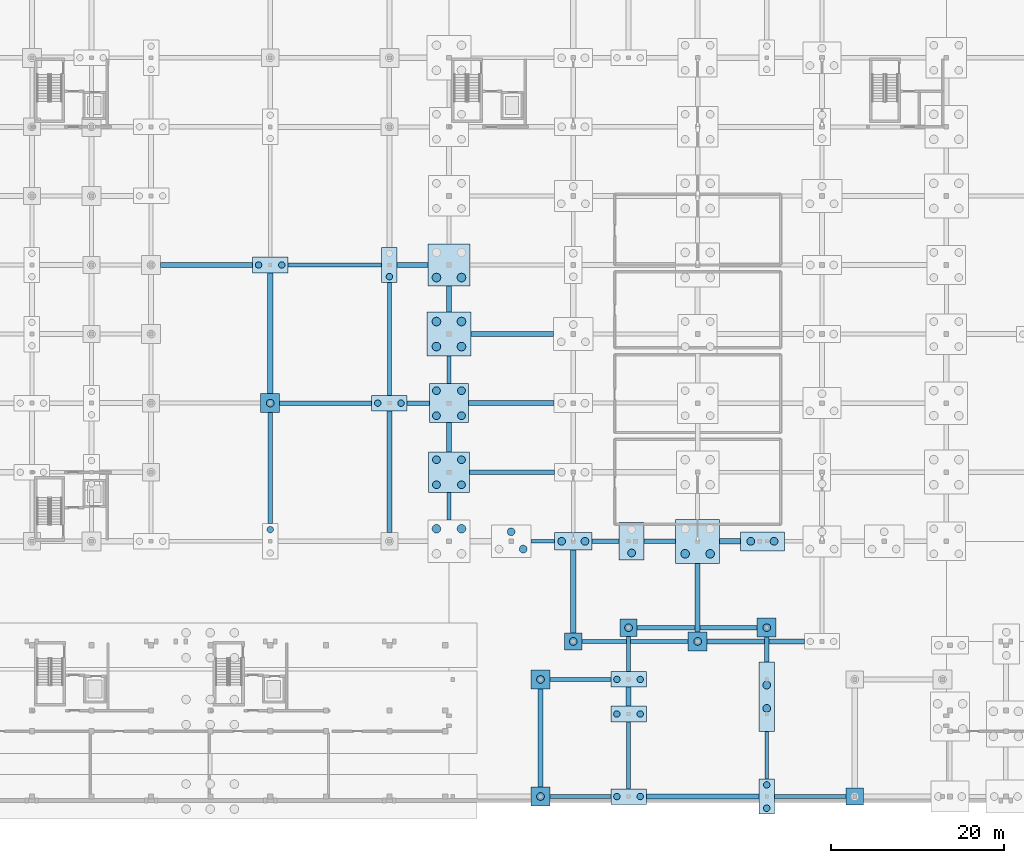
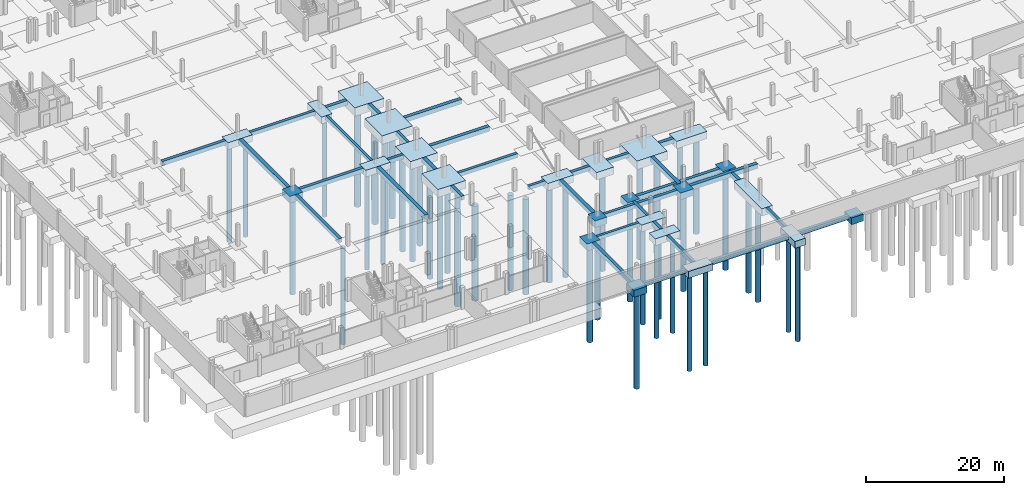
# One storey, part 2 of 38: 59 footings, 48 piles.
"""IFC4 building model written with IfcOpenShell, lengths in metres."""

from ifc_helpers import new_model, si_unit, direction, frame, origin, origin_2d, place, context, subcontext, project, spatial, rectangle, circle, extrude, material, material_profile, profile_set, type_object, element, save


model = new_model("IFC4")

# Units and contexts
model_context = context("Model", 3, precision=1e-05, world=origin(), true_north=direction((0.0, 1.0)))
body_context = subcontext(model_context, "Body", "Model", "MODEL_VIEW")
ifc_project = project(units=[si_unit("LENGTHUNIT", "METRE"), si_unit("AREAUNIT", "SQUARE_METRE"), si_unit("VOLUMEUNIT", "CUBIC_METRE"), si_unit("PLANEANGLEUNIT", "RADIAN"), si_unit("MASSUNIT", "GRAM", prefix="KILO")], contexts=[model_context])

# Site, building, storey
site_placement = place(None, origin())
site = spatial("IfcSite", under=ifc_project, at=site_placement, CompositionType="ELEMENT")
building_placement = place(site_placement, origin())
building = spatial("IfcBuilding", under=site, at=building_placement, Name="Zavelmont Quarter", CompositionType="ELEMENT")
storey_placement = place(building_placement, frame((0.0, 0.0, -3.800048828125)))
storey = spatial("IfcBuildingStorey", under=building, at=storey_placement, Name="B01", CompositionType="ELEMENT", Elevation=-3.800048828125)

# Footings
ifc_material = material(Name="Concrete C35/45", Category="concrete")
footing_type_1 = type_object("IfcFootingType", Name="GB01", PredefinedType="FOOTING_BEAM", material=ifc_material)
footing_1_placement = place(storey_placement, frame((97.050048828125, 0.43994140625, -0.69970703125), z_axis=(0.0, 0.0, 1.0), x_axis=(1.0, 0.0, 0.0)))
element("IfcFooting", 1, at=footing_1_placement, inside=storey, type_object=footing_type_1, Name="B01 ground beam GB01 at 15/A", PredefinedType="FOOTING_BEAM", context=body_context, shape_type="SweptSolid", body=[
    extrude(rectangle(XDim=8.300048828125, YDim=0.5, at=origin_2d()), origin(), (0.0, 0.0, 1.0), 0.699951171875),
])
footing_2_placement = place(storey_placement, frame((76.75, 18.39990234375, -0.69970703125), z_axis=(0.0, 0.0, 1.0), x_axis=(1.0, 0.0, 0.0)))
element("IfcFooting", 2, at=footing_2_placement, inside=storey, type_object=footing_type_1, Name="B01 ground beam GB01 at 12/D", PredefinedType="FOOTING_BEAM", context=body_context, shape_type="SweptSolid", body=[
    extrude(rectangle(XDim=12.300048828125, YDim=0.5, at=origin_2d()), origin(), (0.0, 0.0, 1.0), 0.699951171875),
])
footing_3_placement = place(storey_placement, frame((79.625, 30.0, -0.69970703125), z_axis=(0.0, 0.0, 1.0), x_axis=(1.0, 0.0, 0.0)))
element("IfcFooting", 3, at=footing_3_placement, inside=storey, type_object=footing_type_1, Name="B01 ground beam GB01 at 12/F", PredefinedType="FOOTING_BEAM", context=body_context, shape_type="SweptSolid", body=[
    extrude(rectangle(XDim=3.64990234375, YDim=0.5, at=origin_2d()), origin(), (0.0, 0.0, 1.0), 0.699951171875),
])
footing_4_placement = place(storey_placement, frame((62.5, 38.0, -0.69970703125), z_axis=(0.0, 0.0, 1.0), x_axis=(1.0, 0.0, 0.0)))
element("IfcFooting", 4, at=footing_4_placement, inside=storey, type_object=footing_type_1, Name="B01 ground beam GB01 at 10/G", PredefinedType="FOOTING_BEAM", context=body_context, shape_type="SweptSolid", body=[
    extrude(rectangle(XDim=9.89990234375, YDim=0.5, at=origin_2d()), origin(), (0.0, 0.0, 1.0), 0.699951171875),
])
footing_5_placement = place(storey_placement, frame((51.64990234375, 46.0, -0.69970703125), z_axis=(0.0, 0.0, 1.0), x_axis=(1.0, 0.0, 0.0)))
element("IfcFooting", 5, at=footing_5_placement, inside=storey, type_object=footing_type_1, Name="B01 ground beam GB01 at 8/H", PredefinedType="FOOTING_BEAM", context=body_context, shape_type="SweptSolid", body=[
    extrude(rectangle(XDim=2.60009765625, YDim=0.5, at=origin_2d()), origin(), (0.0, 0.0, 1.0), 0.699951171875),
])
footing_6_placement = place(storey_placement, frame((41.97509765625, 62.0, -0.69970703125), z_axis=(0.0, 0.0, 1.0), x_axis=(1.0, 0.0, 0.0)))
element("IfcFooting", 6, at=footing_6_placement, inside=storey, type_object=footing_type_1, Name="B01 ground beam GB01 at 7/K", PredefinedType="FOOTING_BEAM", context=body_context, shape_type="SweptSolid", body=[
    extrude(rectangle(XDim=10.85009765625, YDim=0.5, at=origin_2d()), origin(), (0.0, 0.0, 1.0), 0.699951171875),
])
footing_7_placement = place(storey_placement, frame((34.5, 38.47509765625, -0.69970703125), z_axis=(0.0, 0.0, 1.0), x_axis=(0.0, 1.0, 0.0)))
element("IfcFooting", 7, at=footing_7_placement, inside=storey, type_object=footing_type_1, Name="B01 ground beam GB01 at 6/G", PredefinedType="FOOTING_BEAM", context=body_context, shape_type="SweptSolid", body=[
    extrude(rectangle(XDim=12.85009765625, YDim=0.5, at=origin_2d()), origin(), (0.0, 0.0, 1.0), 0.699951171875),
])
footing_8_placement = place(storey_placement, frame((55.199951171875, 34.050048828125, -0.69970703125), z_axis=(0.0, 0.0, 1.0), x_axis=(0.0, 1.0, 0.0)))
element("IfcFooting", 8, at=footing_8_placement, inside=storey, type_object=footing_type_1, Name="B01 ground beam GB01 at 9/G", PredefinedType="FOOTING_BEAM", context=body_context, shape_type="SweptSolid", body=[
    extrude(rectangle(XDim=3.199951171875, YDim=0.5, at=origin_2d()), origin(), (0.0, 0.0, 1.0), 0.699951171875),
])
footing_9_placement = place(storey_placement, frame((76.0, 16.949951171875, -0.69970703125), z_axis=(0.0, 0.0, 1.0), x_axis=(0.0, 1.0, 0.0)))
element("IfcFooting", 9, at=footing_9_placement, inside=storey, type_object=footing_type_1, Name="B01 ground beam GB01 at 12/D", PredefinedType="FOOTING_BEAM", context=body_context, shape_type="SweptSolid", body=[
    extrude(rectangle(XDim=4.10009765625, YDim=0.5, at=origin_2d()), origin(), (0.0, 0.0, 1.0), 0.699951171875),
])
footing_type_2 = type_object("IfcFootingType", Name="GB02", PredefinedType="FOOTING_BEAM", material=ifc_material)
footing_10_placement = place(storey_placement, frame((90.72509765625, 18.39990234375, -0.7998046875), z_axis=(0.0, 0.0, 1.0), x_axis=(1.0, 0.0, 0.0)))
element("IfcFooting", 10, at=footing_10_placement, inside=storey, type_object=footing_type_2, Name="B01 ground beam GB02 at 14/D", PredefinedType="FOOTING_BEAM", context=body_context, shape_type="SweptSolid", body=[
    extrude(rectangle(XDim=11.25, YDim=0.60009765625, at=origin_2d()), origin(), (0.0, 0.0, 1.0), 0.800048828125),
])
footing_11_placement = place(storey_placement, frame((87.75, 30.0, -0.7998046875), z_axis=(0.0, 0.0, 1.0), x_axis=(1.0, 0.0, 0.0)))
element("IfcFooting", 11, at=footing_11_placement, inside=storey, type_object=footing_type_2, Name="B01 ground beam GB02 at 14/F", PredefinedType="FOOTING_BEAM", context=body_context, shape_type="SweptSolid", body=[
    extrude(rectangle(XDim=2.39990234375, YDim=0.60009765625, at=origin_2d()), origin(), (0.0, 0.0, 1.0), 0.800048828125),
])
footing_12_placement = place(storey_placement, frame((62.39990234375, 46.0, -0.7998046875), z_axis=(0.0, 0.0, 1.0), x_axis=(1.0, 0.0, 0.0)))
element("IfcFooting", 12, at=footing_12_placement, inside=storey, type_object=footing_type_2, Name="B01 ground beam GB02 at 10/H", PredefinedType="FOOTING_BEAM", context=body_context, shape_type="SweptSolid", body=[
    extrude(rectangle(XDim=9.89990234375, YDim=0.60009765625, at=origin_2d()), origin(), (0.0, 0.0, 1.0), 0.800048828125),
])
footing_13_placement = place(storey_placement, frame((62.52490234375, 54.0, -0.7998046875), z_axis=(0.0, 0.0, 1.0), x_axis=(1.0, 0.0, 0.0)))
element("IfcFooting", 13, at=footing_13_placement, inside=storey, type_object=footing_type_2, Name="B01 ground beam GB02 at 10/J", PredefinedType="FOOTING_BEAM", context=body_context, shape_type="SweptSolid", body=[
    extrude(rectangle(XDim=9.550048828125, YDim=0.60009765625, at=origin_2d()), origin(), (0.0, 0.0, 1.0), 0.800048828125),
])
footing_14_placement = place(storey_placement, frame((50.97509765625, 62.0, -0.7998046875), z_axis=(0.0, 0.0, 1.0), x_axis=(1.0, 0.0, 0.0)))
element("IfcFooting", 14, at=footing_14_placement, inside=storey, type_object=footing_type_2, Name="B01 ground beam GB02 at 8/K", PredefinedType="FOOTING_BEAM", context=body_context, shape_type="SweptSolid", body=[
    extrude(rectangle(XDim=3.550048828125, YDim=0.60009765625, at=origin_2d()), origin(), (0.0, 0.0, 1.0), 0.800048828125),
])
footing_15_placement = place(storey_placement, frame((34.5, 54.10009765625, -0.7998046875), z_axis=(0.0, 0.0, 1.0), x_axis=(0.0, 1.0, 0.0)))
element("IfcFooting", 15, at=footing_15_placement, inside=storey, type_object=footing_type_2, Name="B01 ground beam GB02 at 6/J", PredefinedType="FOOTING_BEAM", context=body_context, shape_type="SweptSolid", body=[
    extrude(rectangle(XDim=14.0, YDim=0.60009765625, at=origin_2d()), origin(), (0.0, 0.0, 1.0), 0.800048828125),
])
footing_16_placement = place(storey_placement, frame((48.300048828125, 38.050048828125, -0.7998046875), z_axis=(0.0, 0.0, 1.0), x_axis=(0.0, 1.0, 0.0)))
element("IfcFooting", 16, at=footing_16_placement, inside=storey, type_object=footing_type_2, Name="B01 ground beam GB02 at 8/G", PredefinedType="FOOTING_BEAM", context=body_context, shape_type="SweptSolid", body=[
    extrude(rectangle(XDim=14.10009765625, YDim=0.60009765625, at=origin_2d()), origin(), (0.0, 0.0, 1.0), 0.800048828125),
])
footing_17_placement = place(storey_placement, frame((55.199951171875, 42.050048828125, -0.7998046875), z_axis=(0.0, 0.0, 1.0), x_axis=(0.0, 1.0, 0.0)))
element("IfcFooting", 17, at=footing_17_placement, inside=storey, type_object=footing_type_2, Name="B01 ground beam GB02 at 9/H", PredefinedType="FOOTING_BEAM", context=body_context, shape_type="SweptSolid", body=[
    extrude(rectangle(XDim=3.39990234375, YDim=0.60009765625, at=origin_2d()), origin(), (0.0, 0.0, 1.0), 0.800048828125),
])
footing_18_placement = place(storey_placement, frame((69.60009765625, 24.199951171875, -0.7998046875), z_axis=(0.0, 0.0, 1.0), x_axis=(0.0, 1.0, 0.0)))
element("IfcFooting", 18, at=footing_18_placement, inside=storey, type_object=footing_type_2, Name="B01 ground beam GB02 at 11/E", PredefinedType="FOOTING_BEAM", context=body_context, shape_type="SweptSolid", body=[
    extrude(rectangle(XDim=9.60009765625, YDim=0.60009765625, at=origin_2d()), origin(), (0.0, 0.0, 1.0), 0.800048828125),
])
footing_19_placement = place(storey_placement, frame((84.0, 23.47509765625, -0.7998046875), z_axis=(0.0, 0.0, 1.0), x_axis=(0.0, 1.0, 0.0)))
element("IfcFooting", 19, at=footing_19_placement, inside=storey, type_object=footing_type_2, Name="B01 ground beam GB02 at 13/E", PredefinedType="FOOTING_BEAM", context=body_context, shape_type="SweptSolid", body=[
    extrude(rectangle(XDim=7.949951171875, YDim=0.60009765625, at=origin_2d()), origin(), (0.0, 0.0, 1.0), 0.800048828125),
])
footing_type_3 = type_object("IfcFootingType", Name="GB03", PredefinedType="FOOTING_BEAM", material=ifc_material)
for number, where, z_axis, x_axis, name in (
    (20, (70.425048828125, 0.43994140625, -0.64990234375), (0.0, 0.0, 1.0), (1.0, 0.0, 0.0), "B01 ground beam GB03 at 11/A"),
    (21, (70.425048828125, 14.0, -0.64990234375), (0.0, 0.0, 1.0), (1.0, 0.0, 0.0), "B01 ground beam GB03 at 11/C"),
):
    element("IfcFooting", number, at=place(storey_placement, frame(where, z_axis=z_axis, x_axis=x_axis)), inside=storey, type_object=footing_type_3, Name=name, PredefinedType="FOOTING_BEAM", context=body_context, shape_type="SweptSolid", body=[
        extrude(rectangle(XDim=7.050048828125, YDim=0.449951171875, at=origin_2d()), origin(), (0.0, 0.0, 1.0), 0.64990234375),
    ])
footing_20_placement = place(storey_placement, frame((66.074951171875, 30.0, -0.64990234375), z_axis=(0.0, 0.0, 1.0), x_axis=(1.0, 0.0, 0.0)))
element("IfcFooting", 22, at=footing_20_placement, inside=storey, type_object=footing_type_3, Name="B01 ground beam GB03 at 11/F", PredefinedType="FOOTING_BEAM", context=body_context, shape_type="SweptSolid", body=[
    extrude(rectangle(XDim=2.75, YDim=0.449951171875, at=origin_2d()), origin(), (0.0, 0.0, 1.0), 0.64990234375),
])
footing_21_placement = place(storey_placement, frame((48.300048828125, 53.425048828125, -0.64990234375), z_axis=(0.0, 0.0, 1.0), x_axis=(0.0, 1.0, 0.0)))
element("IfcFooting", 23, at=footing_21_placement, inside=storey, type_object=footing_type_3, Name="B01 ground beam GB03 at 8/J", PredefinedType="FOOTING_BEAM", context=body_context, shape_type="SweptSolid", body=[
    extrude(rectangle(XDim=13.050048828125, YDim=0.449951171875, at=origin_2d()), origin(), (0.0, 0.0, 1.0), 0.64990234375),
])
footing_22_placement = place(storey_placement, frame((55.199951171875, 49.85009765625, -0.64990234375), z_axis=(0.0, 0.0, 1.0), x_axis=(0.0, 1.0, 0.0)))
element("IfcFooting", 24, at=footing_22_placement, inside=storey, type_object=footing_type_3, Name="B01 ground beam GB03 at 9/H", PredefinedType="FOOTING_BEAM", context=body_context, shape_type="SweptSolid", body=[
    extrude(rectangle(XDim=3.199951171875, YDim=0.449951171875, at=origin_2d()), origin(), (0.0, 0.0, 1.0), 0.64990234375),
])
footing_23_placement = place(storey_placement, frame((76.0, 5.219970703125, -0.64990234375), z_axis=(0.0, 0.0, 1.0), x_axis=(0.0, 1.0, 0.0)))
element("IfcFooting", 25, at=footing_23_placement, inside=storey, type_object=footing_type_3, Name="B01 ground beam GB03 at 12/B", PredefinedType="FOOTING_BEAM", context=body_context, shape_type="SweptSolid", body=[
    extrude(rectangle(XDim=7.760009765625, YDim=0.449951171875, at=origin_2d()), origin(), (0.0, 0.0, 1.0), 0.64990234375),
])
footing_24_placement = place(storey_placement, frame((92.0, 5.219970703125, -0.64990234375), z_axis=(0.0, 0.0, 1.0), x_axis=(0.0, 1.0, 0.0)))
element("IfcFooting", 26, at=footing_24_placement, inside=storey, type_object=footing_type_3, Name="B01 ground beam GB03 at 14/B", PredefinedType="FOOTING_BEAM", context=body_context, shape_type="SweptSolid", body=[
    extrude(rectangle(XDim=5.4599609375, YDim=0.449951171875, at=origin_2d()), origin(), (0.0, 0.0, 1.0), 0.64990234375),
])
footing_type_4 = type_object("IfcFootingType", Name="GB04", PredefinedType="FOOTING_BEAM", material=ifc_material)
footing_25_placement = place(storey_placement, frame((84.574951171875, 0.43994140625, -0.75), z_axis=(0.0, 0.0, 1.0), x_axis=(1.0, 0.0, 0.0)))
element("IfcFooting", 27, at=footing_25_placement, inside=storey, type_object=footing_type_4, Name="B01 ground beam GB04 at 13/A", PredefinedType="FOOTING_BEAM", context=body_context, shape_type="SweptSolid", body=[
    extrude(rectangle(XDim=13.050048828125, YDim=0.550048828125, at=origin_2d()), origin(), (0.0, 0.0, 1.0), 0.75),
])
footing_26_placement = place(storey_placement, frame((83.949951171875, 20.0, -0.75), z_axis=(0.0, 0.0, 1.0), x_axis=(1.0, 0.0, 0.0)))
element("IfcFooting", 28, at=footing_26_placement, inside=storey, type_object=footing_type_4, Name="B01 ground beam GB04 at 13/D", PredefinedType="FOOTING_BEAM", context=body_context, shape_type="SweptSolid", body=[
    extrude(rectangle(XDim=13.89990234375, YDim=0.550048828125, at=origin_2d()), origin(), (0.0, 0.0, 1.0), 0.75),
])
footing_27_placement = place(storey_placement, frame((73.324951171875, 30.0, -0.75), z_axis=(0.0, 0.0, 1.0), x_axis=(1.0, 0.0, 0.0)))
element("IfcFooting", 29, at=footing_27_placement, inside=storey, type_object=footing_type_4, Name="B01 ground beam GB04 at 12/F", PredefinedType="FOOTING_BEAM", context=body_context, shape_type="SweptSolid", body=[
    extrude(rectangle(XDim=3.14990234375, YDim=0.550048828125, at=origin_2d()), origin(), (0.0, 0.0, 1.0), 0.75),
])
for number, where, z_axis, x_axis, name in (
    (30, (40.925048828125, 46.0, -0.75), (0.0, 0.0, 1.0), (1.0, 0.0, 0.0), "B01 ground beam GB04 at 7/H"),
    (31, (27.125, 62.0, -0.75), (0.0, 0.0, 1.0), (1.0, 0.0, 0.0), "B01 ground beam GB04 at 5/K"),
):
    element("IfcFooting", number, at=place(storey_placement, frame(where, z_axis=z_axis, x_axis=x_axis)), inside=storey, type_object=footing_type_4, Name=name, PredefinedType="FOOTING_BEAM", context=body_context, shape_type="SweptSolid", body=[
        extrude(rectangle(XDim=10.64990234375, YDim=0.550048828125, at=origin_2d()), origin(), (0.0, 0.0, 1.0), 0.75),
    ])
footing_28_placement = place(storey_placement, frame((55.199951171875, 58.050048828125, -0.75), z_axis=(0.0, 0.0, 1.0), x_axis=(0.0, 1.0, 0.0)))
element("IfcFooting", 32, at=footing_28_placement, inside=storey, type_object=footing_type_4, Name="B01 ground beam GB04 at 9/K", PredefinedType="FOOTING_BEAM", context=body_context, shape_type="SweptSolid", body=[
    extrude(rectangle(XDim=3.0, YDim=0.550048828125, at=origin_2d()), origin(), (0.0, 0.0, 1.0), 0.75),
])
footing_29_placement = place(storey_placement, frame((65.800048828125, 7.219970703125, -0.75), z_axis=(0.0, 0.0, 1.0), x_axis=(0.0, 1.0, 0.0)))
element("IfcFooting", 33, at=footing_29_placement, inside=storey, type_object=footing_type_4, Name="B01 ground beam GB04 at 10/B", PredefinedType="FOOTING_BEAM", context=body_context, shape_type="SweptSolid", body=[
    extrude(rectangle(XDim=11.360107421875, YDim=0.550048828125, at=origin_2d()), origin(), (0.0, 0.0, 1.0), 0.75),
])
footing_30_placement = place(storey_placement, frame((76.0, 12.0, -0.75), z_axis=(0.0, 0.0, 1.0), x_axis=(0.0, 1.0, 0.0)))
element("IfcFooting", 34, at=footing_30_placement, inside=storey, type_object=footing_type_4, Name="B01 ground beam GB04 at 12/C", PredefinedType="FOOTING_BEAM", context=body_context, shape_type="SweptSolid", body=[
    extrude(rectangle(XDim=2.199951171875, YDim=0.550048828125, at=origin_2d()), origin(), (0.0, 0.0, 1.0), 0.75),
])
footing_31_placement = place(storey_placement, frame((92.0, 17.47509765625, -0.75), z_axis=(0.0, 0.0, 1.0), x_axis=(0.0, 1.0, 0.0)))
element("IfcFooting", 35, at=footing_31_placement, inside=storey, type_object=footing_type_4, Name="B01 ground beam GB04 at 14/D", PredefinedType="FOOTING_BEAM", context=body_context, shape_type="SweptSolid", body=[
    extrude(rectangle(XDim=2.85009765625, YDim=0.550048828125, at=origin_2d()), origin(), (0.0, 0.0, 1.0), 0.75),
])

# Piles
ifc_material_profile_1 = material_profile(ifc_material, circle(Radius=0.5, at=origin_2d()), Name="BP1000")
ifc_profile_set_1 = profile_set([ifc_material_profile_1], Name="Concrete C35/45")
pile_type_1 = type_object("IfcPileType", Name="P01", PredefinedType="BORED", material=ifc_profile_set_1)
for number, where, z_axis, x_axis, name in (
    (36, (56.64990234375, 31.449951171875, -1.39990234375), (0.0, 0.0, -1.0), (1.0, 0.0, 0.0), "B01 bored pile P01 under CAP-055.3"),
    (37, (53.75, 31.449951171875, -1.39990234375), (0.0, 0.0, -1.0), (1.0, 0.0, 0.0), "B01 bored pile P01 under CAP-055.4"),
    (38, (82.550048828125, 28.550048828125, -1.39990234375), (0.0, 0.0, -1.0), (1.0, 0.0, 0.0), "B01 bored pile P01 under CAP-059.1"),
    (39, (85.449951171875, 28.550048828125, -1.39990234375), (0.0, 0.0, -1.0), (1.0, 0.0, 0.0), "B01 bored pile P01 under CAP-059.2"),
    (40, (53.75, 52.550048828125, -1.39990234375), (0.0, 0.0, -1.0), (1.0, 0.0, 0.0), "B01 bored pile P01 under CAP-097.1"),
    (41, (56.64990234375, 52.550048828125, -1.39990234375), (0.0, 0.0, -1.0), (1.0, 0.0, 0.0), "B01 bored pile P01 under CAP-097.2"),
    (42, (56.64990234375, 55.449951171875, -1.39990234375), (0.0, 0.0, -1.0), (1.0, 0.0, 0.0), "B01 bored pile P01 under CAP-097.3"),
    (43, (53.75, 55.449951171875, -1.39990234375), (0.0, 0.0, -1.0), (1.0, 0.0, 0.0), "B01 bored pile P01 under CAP-097.4"),
    (44, (53.75, 60.550048828125, -1.39990234375), (0.0, 0.0, -1.0), (1.0, 0.0, 0.0), "B01 bored pile P01 under CAP-112.1"),
    (45, (56.64990234375, 60.550048828125, -1.39990234375), (0.0, 0.0, -1.0), (1.0, 0.0, 0.0), "B01 bored pile P01 under CAP-112.2"),
):
    element("IfcPile", number, at=place(storey_placement, frame(where, z_axis=z_axis, x_axis=x_axis)), inside=storey, type_object=pile_type_1, Name=name, PredefinedType="BORED", context=body_context, shape_type="SweptSolid", body=[
        extrude(circle(Radius=0.5, at=origin_2d()), origin(), (0.0, 0.0, 1.0), 16.800048828125),
    ])
ifc_material_profile_2 = material_profile(ifc_material, circle(Radius=0.449951171875, at=origin_2d()), Name="BP900")
ifc_profile_set_2 = profile_set([ifc_material_profile_2], Name="Concrete C35/45")
pile_type_2 = type_object("IfcPileType", Name="P02", PredefinedType="BORED", material=ifc_profile_set_2)
for number, where, z_axis, x_axis, name in (
    (46, (63.800048828125, 29.10009765625, -1.300048828125), (0.0, 0.0, -1.0), (1.0, 0.0, 0.0), "B01 bored pile P02 under CAP-056.2"),
    (47, (62.39990234375, 31.10009765625, -1.300048828125), (0.0, 0.0, -1.0), (1.0, 0.0, 0.0), "B01 bored pile P02 under CAP-056.3"),
    (48, (53.75, 36.550048828125, -1.300048828125), (0.0, 0.0, -1.0), (1.0, 0.0, 0.0), "B01 bored pile P02 under CAP-070.1"),
    (49, (56.64990234375, 36.550048828125, -1.300048828125), (0.0, 0.0, -1.0), (1.0, 0.0, 0.0), "B01 bored pile P02 under CAP-070.2"),
    (50, (56.64990234375, 39.449951171875, -1.300048828125), (0.0, 0.0, -1.0), (1.0, 0.0, 0.0), "B01 bored pile P02 under CAP-070.3"),
    (51, (53.75, 39.449951171875, -1.300048828125), (0.0, 0.0, -1.0), (1.0, 0.0, 0.0), "B01 bored pile P02 under CAP-070.4"),
    (52, (53.75, 44.550048828125, -1.300048828125), (0.0, 0.0, -1.0), (1.0, 0.0, 0.0), "B01 bored pile P02 under CAP-085.1"),
    (53, (56.64990234375, 44.550048828125, -1.300048828125), (0.0, 0.0, -1.0), (1.0, 0.0, 0.0), "B01 bored pile P02 under CAP-085.2"),
    (54, (56.64990234375, 47.449951171875, -1.300048828125), (0.0, 0.0, -1.0), (1.0, 0.0, 0.0), "B01 bored pile P02 under CAP-085.3"),
    (55, (53.75, 47.449951171875, -1.300048828125), (0.0, 0.0, -1.0), (1.0, 0.0, 0.0), "B01 bored pile P02 under CAP-085.4"),
):
    element("IfcPile", number, at=place(storey_placement, frame(where, z_axis=z_axis, x_axis=x_axis)), inside=storey, type_object=pile_type_2, Name=name, PredefinedType="BORED", context=body_context, shape_type="SweptSolid", body=[
        extrude(circle(Radius=0.449951171875, at=origin_2d()), origin(), (0.0, 0.0, 1.0), 16.89990234375),
    ])
ifc_material_profile_3 = material_profile(ifc_material, circle(Radius=0.449951171875, at=origin_2d()), Name="BP900")
ifc_profile_set_3 = profile_set([ifc_material_profile_3], Name="Concrete C35/45")
pile_type_3 = type_object("IfcPileType", Name="P03", PredefinedType="BORED", material=ifc_profile_set_3)
for number, where, z_axis, x_axis, name in (
    (56, (92.0, 10.64990234375, -1.199951171875), (0.0, 0.0, -1.0), (1.0, 0.0, 0.0), "B01 bored pile P03 under CAP-026.1"),
    (57, (92.0, 13.35009765625, -1.199951171875), (0.0, 0.0, -1.0), (1.0, 0.0, 0.0), "B01 bored pile P03 under CAP-026.2"),
    (58, (68.25, 30.0, -1.199951171875), (0.0, 0.0, -1.0), (1.0, 0.0, 0.0), "B01 bored pile P03 under CAP-057.1"),
    (59, (70.949951171875, 30.0, -1.199951171875), (0.0, 0.0, -1.0), (1.0, 0.0, 0.0), "B01 bored pile P03 under CAP-057.2"),
    (60, (76.35009765625, 28.64990234375, -1.199951171875), (0.0, 0.0, -1.0), (1.0, 0.0, 0.0), "B01 bored pile P03 under CAP-058.1"),
    (61, (90.14990234375, 30.0, -1.199951171875), (0.0, 0.0, -1.0), (1.0, 0.0, 0.0), "B01 bored pile P03 under CAP-060.1"),
    (62, (92.85009765625, 30.0, -1.199951171875), (0.0, 0.0, -1.0), (1.0, 0.0, 0.0), "B01 bored pile P03 under CAP-060.2"),
):
    element("IfcPile", number, at=place(storey_placement, frame(where, z_axis=z_axis, x_axis=x_axis)), inside=storey, type_object=pile_type_3, Name=name, PredefinedType="BORED", context=body_context, shape_type="SweptSolid", body=[
        extrude(circle(Radius=0.449951171875, at=origin_2d()), origin(), (0.0, 0.0, 1.0), 17.0),
    ])
ifc_material_profile_4 = material_profile(ifc_material, circle(Radius=0.449951171875, at=origin_2d()), Name="BP900")
ifc_profile_set_4 = profile_set([ifc_material_profile_4], Name="Concrete C35/45")
pile_type_4 = type_object("IfcPileType", Name="P04", PredefinedType="BORED", material=ifc_profile_set_4)
for number, where, z_axis, x_axis, name in (
    (63, (65.800048828125, 0.43994140625, -1.099853515625), (0.0, 0.0, -1.0), (1.0, 0.0, 0.0), "B01 bored pile P04 under CAP-004.1"),
    (64, (65.800048828125, 14.0, -1.099853515625), (0.0, 0.0, -1.0), (1.0, 0.0, 0.0), "B01 bored pile P04 under CAP-027.1"),
    (65, (69.60009765625, 18.39990234375, -1.099853515625), (0.0, 0.0, -1.0), (1.0, 0.0, 0.0), "B01 bored pile P04 under CAP-038.1"),
    (66, (84.0, 18.39990234375, -1.099853515625), (0.0, 0.0, -1.0), (1.0, 0.0, 0.0), "B01 bored pile P04 under CAP-039.1"),
    (67, (76.0, 20.0, -1.099853515625), (0.0, 0.0, -1.0), (1.0, 0.0, 0.0), "B01 bored pile P04 under CAP-043.1"),
    (68, (92.0, 20.0, -1.099853515625), (0.0, 0.0, -1.0), (1.0, 0.0, 0.0), "B01 bored pile P04 under CAP-044.1"),
    (69, (34.5, 46.0, -1.099853515625), (0.0, 0.0, -1.0), (1.0, 0.0, 0.0), "B01 bored pile P04 under CAP-083.1"),
):
    element("IfcPile", number, at=place(storey_placement, frame(where, z_axis=z_axis, x_axis=x_axis)), inside=storey, type_object=pile_type_4, Name=name, PredefinedType="BORED", context=body_context, shape_type="SweptSolid", body=[
        extrude(circle(Radius=0.449951171875, at=origin_2d()), origin(), (0.0, 0.0, 1.0), 17.10009765625),
    ])
ifc_material_profile_5 = material_profile(ifc_material, circle(Radius=0.375, at=origin_2d()), Name="BP750")
ifc_profile_set_5 = profile_set([ifc_material_profile_5], Name="Concrete C35/45")
pile_type_5 = type_object("IfcPileType", Name="P05", PredefinedType="BORED", material=ifc_profile_set_5)
for number, where, z_axis, x_axis, name in (
    (70, (74.64990234375, 0.43994140625, -1.099853515625), (0.0, 0.0, -1.0), (1.0, 0.0, 0.0), "B01 bored pile P05 under CAP-005.1"),
    (71, (77.35009765625, 0.43994140625, -1.099853515625), (0.0, 0.0, -1.0), (1.0, 0.0, 0.0), "B01 bored pile P05 under CAP-005.2"),
    (72, (92.0, -0.909912109375, -1.099853515625), (0.0, 0.0, -1.0), (1.0, 0.0, 0.0), "B01 bored pile P05 under CAP-006.1"),
    (73, (92.0, 1.7900390625, -1.099853515625), (0.0, 0.0, -1.0), (1.0, 0.0, 0.0), "B01 bored pile P05 under CAP-006.2"),
    (74, (74.64990234375, 10.0, -1.099853515625), (0.0, 0.0, -1.0), (1.0, 0.0, 0.0), "B01 bored pile P05 under CAP-024.1"),
    (75, (77.35009765625, 10.0, -1.099853515625), (0.0, 0.0, -1.0), (1.0, 0.0, 0.0), "B01 bored pile P05 under CAP-024.2"),
    (76, (74.64990234375, 14.0, -1.099853515625), (0.0, 0.0, -1.0), (1.0, 0.0, 0.0), "B01 bored pile P05 under CAP-028.1"),
    (77, (77.35009765625, 14.0, -1.099853515625), (0.0, 0.0, -1.0), (1.0, 0.0, 0.0), "B01 bored pile P05 under CAP-028.2"),
    (78, (34.5, 31.35009765625, -1.099853515625), (0.0, 0.0, -1.0), (1.0, 0.0, 0.0), "B01 bored pile P05 under CAP-053.2"),
    (79, (46.949951171875, 46.0, -1.099853515625), (0.0, 0.0, -1.0), (1.0, 0.0, 0.0), "B01 bored pile P05 under CAP-084.1"),
    (80, (49.64990234375, 46.0, -1.099853515625), (0.0, 0.0, -1.0), (1.0, 0.0, 0.0), "B01 bored pile P05 under CAP-084.2"),
    (81, (33.14990234375, 62.0, -1.099853515625), (0.0, 0.0, -1.0), (1.0, 0.0, 0.0), "B01 bored pile P05 under CAP-110.1"),
    (82, (35.85009765625, 62.0, -1.099853515625), (0.0, 0.0, -1.0), (1.0, 0.0, 0.0), "B01 bored pile P05 under CAP-110.2"),
    (83, (48.300048828125, 60.64990234375, -1.099853515625), (0.0, 0.0, -1.0), (1.0, 0.0, 0.0), "B01 bored pile P05 under CAP-111.1"),
):
    element("IfcPile", number, at=place(storey_placement, frame(where, z_axis=z_axis, x_axis=x_axis)), inside=storey, type_object=pile_type_5, Name=name, PredefinedType="BORED", context=body_context, shape_type="SweptSolid", body=[
        extrude(circle(Radius=0.375, at=origin_2d()), origin(), (0.0, 0.0, 1.0), 17.10009765625),
    ])

# Footings
footing_type_5 = type_object("IfcFootingType", Name="PC03", PredefinedType="PILE_CAP", material=ifc_material)
for number, where, z_axis, x_axis, name in (
    (84, (102.199951171875, 0.43994140625, -1.19970703125), (0.0, 0.0, 1.0), (1.0, 0.0, 0.0), "B01 pile cap PC03 at 16/A"),
    (85, (69.60009765625, 18.39990234375, -1.19970703125), (0.0, 0.0, 1.0), (1.0, 0.0, 0.0), "B01 pile cap PC03 at 11/D"),
    (86, (76.0, 20.0, -1.19970703125), (0.0, 0.0, 1.0), (1.0, 0.0, 0.0), "B01 pile cap PC03 at 12/D"),
):
    element("IfcFooting", number, at=place(storey_placement, frame(where, z_axis=z_axis, x_axis=x_axis)), inside=storey, type_object=footing_type_5, Name=name, PredefinedType="PILE_CAP", context=body_context, shape_type="SweptSolid", body=[
        extrude(rectangle(XDim=2.0, YDim=2.0, at=origin_2d()), origin(), (0.0, 0.0, 1.0), 1.199951171875),
    ])
footing_type_6 = type_object("IfcFootingType", Name="PC04", PredefinedType="PILE_CAP", material=ifc_material)
for number, where, z_axis, x_axis, name in (
    (87, (65.800048828125, 0.43994140625, -1.19970703125), (0.0, 0.0, 1.0), (1.0, 0.0, 0.0), "B01 pile cap PC04 at 10/A"),
    (88, (65.800048828125, 14.0, -1.19970703125), (0.0, 0.0, 1.0), (1.0, 0.0, 0.0), "B01 pile cap PC04 at 10/C"),
    (89, (84.0, 18.39990234375, -1.19970703125), (0.0, 0.0, 1.0), (1.0, 0.0, 0.0), "B01 pile cap PC04 at 13/D"),
    (90, (92.0, 20.0, -1.19970703125), (0.0, 0.0, 1.0), (1.0, 0.0, 0.0), "B01 pile cap PC04 at 14/D"),
    (91, (34.5, 46.0, -1.19970703125), (0.0, 0.0, 1.0), (1.0, 0.0, 0.0), "B01 pile cap PC04 at 6/H"),
):
    element("IfcFooting", number, at=place(storey_placement, frame(where, z_axis=z_axis, x_axis=x_axis)), inside=storey, type_object=footing_type_6, Name=name, PredefinedType="PILE_CAP", context=body_context, shape_type="SweptSolid", body=[
        extrude(rectangle(XDim=2.199951171875, YDim=2.199951171875, at=origin_2d()), origin(), (0.0, 0.0, 1.0), 1.199951171875),
    ])
footing_type_7 = type_object("IfcFootingType", Name="PC05", PredefinedType="PILE_CAP", material=ifc_material)
for number, where, z_axis, x_axis, name in (
    (92, (76.0, 0.43994140625, -1.19970703125), (0.0, 0.0, 1.0), (1.0, 0.0, 0.0), "B01 pile cap PC05 at 12/A"),
    (93, (76.0, 10.0, -1.19970703125), (0.0, 0.0, 1.0), (1.0, 0.0, 0.0), "B01 pile cap PC05 at 12/C"),
    (94, (76.0, 14.0, -1.19970703125), (0.0, 0.0, 1.0), (1.0, 0.0, 0.0), "B01 pile cap PC05 at 12/C"),
    (95, (48.300048828125, 46.0, -1.19970703125), (0.0, 0.0, 1.0), (1.0, 0.0, 0.0), "B01 pile cap PC05 at 8/H"),
    (96, (34.5, 62.0, -1.19970703125), (0.0, 0.0, 1.0), (1.0, 0.0, 0.0), "B01 pile cap PC05 at 6/K"),
):
    element("IfcFooting", number, at=place(storey_placement, frame(where, z_axis=z_axis, x_axis=x_axis)), inside=storey, type_object=footing_type_7, Name=name, PredefinedType="PILE_CAP", context=body_context, shape_type="SweptSolid", body=[
        extrude(rectangle(XDim=4.10009765625, YDim=1.800048828125, at=origin_2d()), origin(), (0.0, 0.0, 1.0), 1.199951171875),
    ])
footing_type_8 = type_object("IfcFootingType", Name="PC06", PredefinedType="PILE_CAP", material=ifc_material)
for number, where, z_axis, x_axis, name in (
    (97, (92.0, 0.43994140625, -1.19970703125), (0.0, 0.0, 1.0), (1.0, 0.0, 0.0), "B01 pile cap PC06 at 14/A"),
    (98, (48.300048828125, 62.0, -1.19970703125), (0.0, 0.0, 1.0), (1.0, 0.0, 0.0), "B01 pile cap PC06 at 8/K"),
):
    element("IfcFooting", number, at=place(storey_placement, frame(where, z_axis=z_axis, x_axis=x_axis)), inside=storey, type_object=footing_type_8, Name=name, PredefinedType="PILE_CAP", context=body_context, shape_type="SweptSolid", body=[
        extrude(rectangle(XDim=1.800048828125, YDim=4.10009765625, at=origin_2d()), origin(), (0.0, 0.0, 1.0), 1.199951171875),
    ])
footing_type_9 = type_object("IfcFootingType", Name="PC07", PredefinedType="PILE_CAP", material=ifc_material)
footing_32_placement = place(storey_placement, frame((69.60009765625, 30.0, -1.2998046875), z_axis=(0.0, 0.0, 1.0), x_axis=(1.0, 0.0, 0.0)))
element("IfcFooting", 99, at=footing_32_placement, inside=storey, type_object=footing_type_9, Name="B01 pile cap PC07 at 11/F", PredefinedType="PILE_CAP", context=body_context, shape_type="SweptSolid", body=[
    extrude(rectangle(XDim=4.300048828125, YDim=2.0, at=origin_2d()), origin(), (0.0, 0.0, 1.0), 1.300048828125),
])
footing_type_10 = type_object("IfcFootingType", Name="PC12", PredefinedType="PILE_CAP", material=ifc_material)
footing_33_placement = place(storey_placement, frame((55.199951171875, 46.0, -1.39990234375), z_axis=(0.0, 0.0, 1.0), x_axis=(1.0, 0.0, 0.0)))
element("IfcFooting", 100, at=footing_33_placement, inside=storey, type_object=footing_type_10, Name="B01 pile cap PC12 at 9/H", PredefinedType="PILE_CAP", context=body_context, shape_type="SweptSolid", body=[
    extrude(rectangle(XDim=4.5, YDim=4.5, at=origin_2d()), origin(), (0.0, 0.0, 1.0), 1.39990234375),
])
footing_type_11 = type_object("IfcFootingType", Name="PC13", PredefinedType="PILE_CAP", material=ifc_material)
footing_34_placement = place(storey_placement, frame((55.199951171875, 38.0, -1.39990234375), z_axis=(0.0, 0.0, 1.0), x_axis=(1.0, 0.0, 0.0)))
element("IfcFooting", 101, at=footing_34_placement, inside=storey, type_object=footing_type_11, Name="B01 pile cap PC13 at 9/G", PredefinedType="PILE_CAP", context=body_context, shape_type="SweptSolid", body=[
    extrude(rectangle(XDim=4.699951171875, YDim=4.699951171875, at=origin_2d()), origin(), (0.0, 0.0, 1.0), 1.39990234375),
])
footing_type_12 = type_object("IfcFootingType", Name="PC14", PredefinedType="PILE_CAP", material=ifc_material)
footing_35_placement = place(storey_placement, frame((55.199951171875, 62.0, -1.5), z_axis=(0.0, 0.0, 1.0), x_axis=(1.0, 0.0, 0.0)))
element("IfcFooting", 102, at=footing_35_placement, inside=storey, type_object=footing_type_12, Name="B01 pile cap PC14 at 9/K", PredefinedType="PILE_CAP", context=body_context, shape_type="SweptSolid", body=[
    extrude(rectangle(XDim=4.89990234375, YDim=4.89990234375, at=origin_2d()), origin(), (0.0, 0.0, 1.0), 1.5),
])
footing_type_13 = type_object("IfcFootingType", Name="PC15", PredefinedType="PILE_CAP", material=ifc_material)
for number, where, z_axis, x_axis, name in (
    (103, (84.0, 30.0, -1.5), (0.0, 0.0, 1.0), (1.0, 0.0, 0.0), "B01 pile cap PC15 at 13/F"),
    (104, (55.199951171875, 54.0, -1.5), (0.0, 0.0, 1.0), (1.0, 0.0, 0.0), "B01 pile cap PC15 at 9/J"),
):
    element("IfcFooting", number, at=place(storey_placement, frame(where, z_axis=z_axis, x_axis=x_axis)), inside=storey, type_object=footing_type_13, Name=name, PredefinedType="PILE_CAP", context=body_context, shape_type="SweptSolid", body=[
        extrude(rectangle(XDim=5.10009765625, YDim=5.10009765625, at=origin_2d()), origin(), (0.0, 0.0, 1.0), 1.5),
    ])
footing_type_14 = type_object("IfcFootingType", Name="PCC180X810", PredefinedType="PILE_CAP", material=ifc_material)
footing_36_placement = place(storey_placement, frame((92.0, 12.0, -1.2998046875), z_axis=(0.0, 0.0, 1.0), x_axis=(1.0, 0.0, 0.0)))
element("IfcFooting", 105, at=footing_36_placement, inside=storey, type_object=footing_type_14, Name="B01 pile cap PCC180X810 at 14/C", PredefinedType="PILE_CAP", context=body_context, shape_type="SweptSolid", body=[
    extrude(rectangle(XDim=1.800048828125, YDim=8.10009765625, at=origin_2d()), origin(), (0.0, 0.0, 1.0), 1.300048828125),
])
footing_type_15 = type_object("IfcFootingType", Name="PCC290X430", PredefinedType="PILE_CAP", material=ifc_material)
footing_37_placement = place(storey_placement, frame((76.35009765625, 30.0, -1.2998046875), z_axis=(0.0, 0.0, 1.0), x_axis=(1.0, 0.0, 0.0)))
element("IfcFooting", 106, at=footing_37_placement, inside=storey, type_object=footing_type_15, Name="B01 pile cap PCC290X430 at 12/F", PredefinedType="PILE_CAP", context=body_context, shape_type="SweptSolid", body=[
    extrude(rectangle(XDim=2.89990234375, YDim=4.300048828125, at=origin_2d()), origin(), (0.0, 0.0, 1.0), 1.300048828125),
])
footing_type_16 = type_object("IfcFootingType", Name="PCC510X220", PredefinedType="PILE_CAP", material=ifc_material)
footing_38_placement = place(storey_placement, frame((91.5, 30.0, -1.2998046875), z_axis=(0.0, 0.0, 1.0), x_axis=(1.0, 0.0, 0.0)))
element("IfcFooting", 107, at=footing_38_placement, inside=storey, type_object=footing_type_16, Name="B01 pile cap PCC510X220 at 14/F", PredefinedType="PILE_CAP", context=body_context, shape_type="SweptSolid", body=[
    extrude(rectangle(XDim=5.10009765625, YDim=2.199951171875, at=origin_2d()), origin(), (0.0, 0.0, 1.0), 1.300048828125),
])

save(model, "model.ifc")
